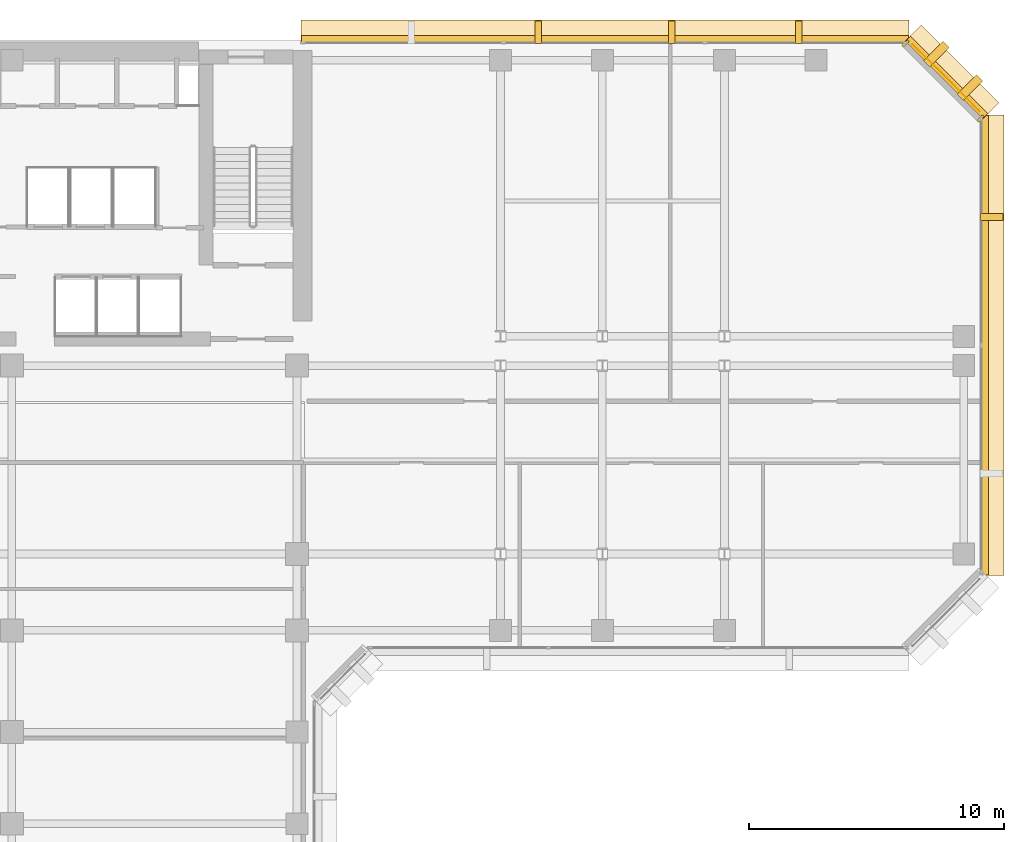
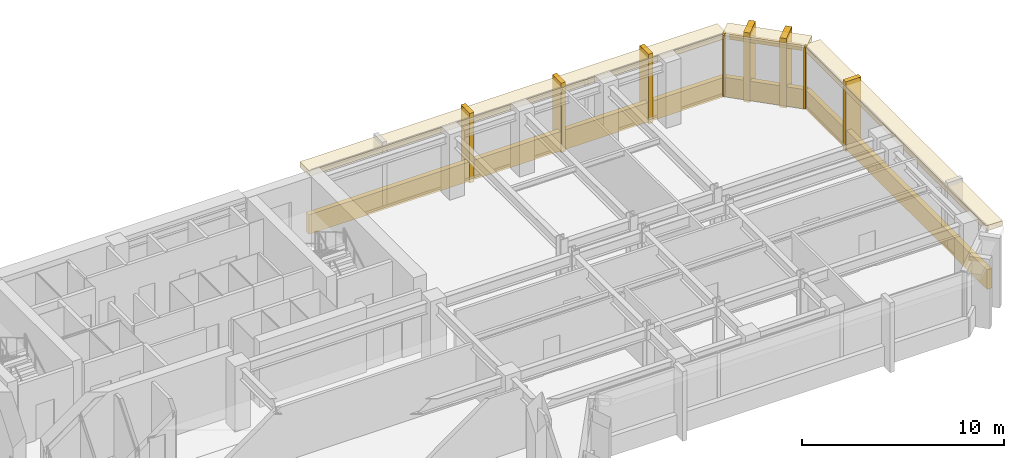
# One storey, part 11 of 11: 15 coverings.
"""IFC4 building model written with IfcOpenShell, lengths in metres."""

import ifcopenshell
import ifcopenshell.guid

model = None  # the IFC model being written
_history = None  # IfcOwnerHistory: only IFC2X3 demands one
_inside = {}  # id of a spatial element -> (the spatial element, [elements in it])
_under = {}  # id of a project, library or spatial element -> (it, [spatial elements below it])
_declared = {}  # id of a project -> (the project, [libraries it declares])
_typed = {}  # id of a type object -> (the type object, [elements of that type])
_made_of = {}  # id of a material, layer set ... -> (it, [elements and type objects made of it])


def new_model(schema):
    """Start an empty IFC model of exactly this schema.

    Asked for "IFC4X3", IfcOpenShell would pick the latest addendum, in which some entities
    have other attributes; the version numbers below select the first issue.
    IFC2X3 requires an IfcOwnerHistory on every rooted entity: one is made here for all.
    """
    global model, _history
    if schema == "IFC4X3":
        model = ifcopenshell.file(schema_version=(4, 3, 0, 0))
    else:
        model = ifcopenshell.file(schema=schema)
    _inside.clear()
    _under.clear()
    _declared.clear()
    _typed.clear()
    _made_of.clear()
    _history = None
    if model.schema == "IFC2X3":
        org = make("IfcOrganization", Name="unknown")
        user = make(
            "IfcPersonAndOrganization",
            ThePerson=make("IfcPerson", FamilyName="unknown"),
            TheOrganization=org,
        )
        app = make(
            "IfcApplication",
            ApplicationDeveloper=org,
            Version="unknown",
            ApplicationFullName="unknown",
            ApplicationIdentifier="unknown",
        )
        _history = make(
            "IfcOwnerHistory",
            OwningUser=user,
            OwningApplication=app,
            ChangeAction="ADDED",
            CreationDate=0,
        )
    return model


def make(cls, **values):
    """One entity of the class cls with the attributes given. An attribute that is None is left unset."""
    return model.create_entity(
        cls, **{name: value for name, value in values.items() if value is not None}
    )


def rooted(cls, **values):
    """An entity with a GlobalId (a new one), such as an element, a storey or a relation."""
    return make(cls, GlobalId=ifcopenshell.guid.new(), OwnerHistory=_history, **values)


def si_unit(unit_type, name, prefix=None):
    """IfcSIUnit, for example si_unit("LENGTHUNIT", "METRE", prefix="MILLI")."""
    return make("IfcSIUnit", UnitType=unit_type, Prefix=prefix, Name=name)


def assignment(units):
    """IfcUnitAssignment: the units of a project."""
    return None if units is None else make("IfcUnitAssignment", Units=units)


def point(xyz):
    """IfcCartesianPoint."""
    return None if xyz is None else make("IfcCartesianPoint", Coordinates=xyz)


def direction(xyz):
    """IfcDirection."""
    return None if xyz is None else make("IfcDirection", DirectionRatios=xyz)


def frame(location, z_axis=None, x_axis=None):
    """IfcAxis2Placement3D, a coordinate frame: its origin and axes. An axis left out is left unset."""
    return make(
        "IfcAxis2Placement3D",
        Location=point(location),
        Axis=direction(z_axis),
        RefDirection=direction(x_axis),
    )


def frame_2d(location, x_axis=None):
    """IfcAxis2Placement2D, a coordinate frame in the plane: its origin and x axis."""
    return make(
        "IfcAxis2Placement2D", Location=point(location), RefDirection=direction(x_axis)
    )


def origin():
    """The frame at (0, 0, 0) with its axes left unset."""
    return frame((0.0, 0.0, 0.0))


def origin_2d():
    """The frame at (0, 0) in the plane with its x axis left unset."""
    return frame_2d((0.0, 0.0))


def place(relative_to, where):
    """IfcLocalPlacement: puts the frame where relative to a parent placement (None: the world)."""
    return make(
        "IfcLocalPlacement", PlacementRelTo=relative_to, RelativePlacement=where
    )


def context(
    kind, dimensions, precision=None, world=None, true_north=None, identifier=None
):
    """IfcGeometricRepresentationContext, for example the 3D "Model" context."""
    return make(
        "IfcGeometricRepresentationContext",
        ContextIdentifier=identifier,
        ContextType=kind,
        CoordinateSpaceDimension=dimensions,
        Precision=precision,
        WorldCoordinateSystem=world,
        TrueNorth=true_north,
    )


def subcontext(parent, identifier, kind, view, scale=None):
    """IfcGeometricRepresentationSubContext, for example "Body" below "Model"."""
    return make(
        "IfcGeometricRepresentationSubContext",
        ContextIdentifier=identifier,
        ContextType=kind,
        ParentContext=parent,
        TargetScale=scale,
        TargetView=view,
    )


def project(units=None, contexts=None):
    """IfcProject with its units and contexts."""
    return rooted(
        "IfcProject",
        Name="project",
        RepresentationContexts=contexts,
        UnitsInContext=assignment(units),
    )


def spatial(cls, under=None, at=None, **own):
    """A site, building, storey or space (cls), placed at a placement, below another one or the project."""
    s = rooted(cls, ObjectPlacement=at, **own)
    if under is not None:
        _under.setdefault(under.id(), (under, []))[1].append(s)
    return s


def profile(cls, at=None, kind="AREA", **sizes):
    """A parametric profile (cls). Its sizes go by their IFC names, for example OverallWidth=200.0."""
    return make(cls, ProfileType=kind, Position=at, **sizes)


def rectangle(**sizes):
    """IfcRectangleProfileDef."""
    return profile("IfcRectangleProfileDef", **sizes)


def extrude(swept, where, along, depth):
    """IfcExtrudedAreaSolid: the profile swept, set in the frame where, extruded along a direction by depth."""
    return make(
        "IfcExtrudedAreaSolid",
        SweptArea=swept,
        Position=where,
        ExtrudedDirection=direction(along),
        Depth=depth,
    )


def shape(context_of_items, identifier, shape_type, items):
    """IfcShapeRepresentation: the items that make up one representation, for example the "Body"."""
    return make(
        "IfcShapeRepresentation",
        ContextOfItems=context_of_items,
        RepresentationIdentifier=identifier,
        RepresentationType=shape_type,
        Items=items,
    )


def material(Name=None, Category=None):
    """IfcMaterial."""
    return make("IfcMaterial", Name=Name, Category=Category)


def layer(
    of_material, thickness, ventilated=None, Name=None, Category=None, Priority=None
):
    """IfcMaterialLayer: one layer of a wall or slab, of a material (None: an air gap)."""
    return make(
        "IfcMaterialLayer",
        Material=of_material,
        LayerThickness=thickness,
        IsVentilated=ventilated,
        Name=Name,
        Category=Category,
        Priority=Priority,
    )


def layer_set(layers, Name=None):
    """IfcMaterialLayerSet."""
    return make("IfcMaterialLayerSet", MaterialLayers=layers, LayerSetName=Name)


def made_of(thing, what):
    """Note that an element or type object is made of a material, layer set ...; save() writes the relation."""
    if what is not None:
        _made_of.setdefault(what.id(), (what, []))[1].append(thing)
    return thing


def type_object(cls, material=None, **own):
    """A type object (cls), such as IfcWallType, which elements share."""
    return made_of(rooted(cls, **own), material)


def element(
    cls,
    number,
    at=None,
    inside=None,
    cuts=None,
    type_object=None,
    material=None,
    context=None,
    identifier="Body",
    shape_type=None,
    held_by="IfcProductDefinitionShape",
    body=None,
    shapes=None,
    **own,
):
    """One element of the class cls, such as IfcWall. Its Tag is "e" and its number.

    at: its placement. inside: the storey or other place that contains it. cuts: it is an
    opening in that element (IfcRelVoidsElement). A single representation is given by context,
    identifier, shape_type and body (its items); several are given by shapes. held_by: the class
    of the entity that holds the representations. save() writes the other relations.
    """
    e = rooted(cls, Tag="e%d" % number, ObjectPlacement=at, **own)
    if body is not None:
        shapes = [shape(context, identifier, shape_type, body)]
    if shapes is not None:
        e.Representation = make(held_by, Representations=shapes)
    if inside is not None:
        _inside.setdefault(inside.id(), (inside, []))[1].append(e)
    if cuts is not None:
        rooted(
            "IfcRelVoidsElement", RelatingBuildingElement=cuts, RelatedOpeningElement=e
        )
    if type_object is not None:
        _typed.setdefault(type_object.id(), (type_object, []))[1].append(e)
    return made_of(e, material)


def aggregate(whole, parts):
    """IfcRelAggregates: a whole, such as a stair, and the parts it consists of."""
    return rooted("IfcRelAggregates", RelatingObject=whole, RelatedObjects=parts)


def save(model, path):
    """Write the relations noted so far, then the file.

    IfcRelAggregates (storeys below a building ...), IfcRelContainedInSpatialStructure (elements
    in a storey), IfcRelDefinesByType, IfcRelAssociatesMaterial and IfcRelDeclares: one each for
    every whole, place, type object, material and project.
    """
    for whole, parts in _under.values():
        aggregate(whole, parts)
    for where, things in _inside.values():
        rooted(
            "IfcRelContainedInSpatialStructure",
            RelatedElements=things,
            RelatingStructure=where,
        )
    for kind, things in _typed.values():
        rooted("IfcRelDefinesByType", RelatedObjects=things, RelatingType=kind)
    for what, things in _made_of.values():
        rooted("IfcRelAssociatesMaterial", RelatedObjects=things, RelatingMaterial=what)
    for by, libraries in _declared.values():
        rooted("IfcRelDeclares", RelatingContext=by, RelatedDefinitions=libraries)
    model.write(path)


model = new_model("IFC4")

# Units and contexts
model_context = context("Model", 3, precision=1e-05, world=origin(), true_north=direction((0.0, 1.0)))
body_context = subcontext(model_context, "Body", "Model", "MODEL_VIEW")
ifc_project = project(units=[si_unit("LENGTHUNIT", "METRE"), si_unit("AREAUNIT", "SQUARE_METRE"), si_unit("VOLUMEUNIT", "CUBIC_METRE"), si_unit("PLANEANGLEUNIT", "RADIAN"), si_unit("MASSUNIT", "GRAM", prefix="KILO")], contexts=[model_context])

# Site, building, storey
site_placement = place(None, origin())
site = spatial("IfcSite", under=ifc_project, at=site_placement, CompositionType="ELEMENT")
building_placement = place(site_placement, origin())
building = spatial("IfcBuilding", under=site, at=building_placement, Name="Kefirva Bronze Tower", CompositionType="ELEMENT")
storey_placement = place(building_placement, frame((0.0, 0.0, 150.81005859375)))
storey = spatial("IfcBuildingStorey", under=building, at=storey_placement, Name="L36", CompositionType="ELEMENT", Elevation=150.81005859375)

# Coverings
ifc_material = material(Name="Bronze anodised aluminium", Category="aluminium")
ifc_layer_1 = layer(ifc_material, 0.02001953125, Name="Bronze anodised aluminium")
ifc_layer_set_1 = layer_set([ifc_layer_1], Name="Bronze anodised aluminium")
covering_type_1 = type_object("IfcCoveringType", Name="Anodised Bronze Spandrel Cladding 20mm", PredefinedType="CLADDING", material=ifc_layer_set_1)
covering_1_placement = place(storey_placement, frame((50.239990234375, 34.0, -0.16015625), z_axis=(0.0, 0.0, 1.0), x_axis=(0.0, 1.0, 0.0)))
element("IfcCovering", 1, at=covering_1_placement, inside=storey, type_object=covering_type_1, Name="L36 Streamline Horizontal Spandrel Band 6", PredefinedType="CLADDING", context=body_context, shape_type="SweptSolid", body=[
    extrude(rectangle(XDim=18.0400390625, YDim=0.280029296875, at=origin_2d()), origin(), (0.0, 0.0, 1.0), 1.179931640625),
])
covering_2_placement = place(storey_placement, frame((48.70703125, 44.507080078125, 3.2900390625), z_axis=(0.0, 0.0, 1.0), x_axis=(-0.707106781187, 0.707106781187, 0.0)))
element("IfcCovering", 2, at=covering_2_placement, inside=storey, type_object=covering_type_1, Name="L36 Bronze Spandrel Cladding 4", PredefinedType="CLADDING", context=body_context, shape_type="SweptSolid", body=[
    extrude(rectangle(XDim=3.719482421875, YDim=0.02001953125, at=origin_2d()), origin(), (0.0, 0.0, 1.0), 0.39990234375),
])
for number, where, z_axis, x_axis, name in (
    (3, (50.06201171875, 42.91162109375, 0.0), (0.0, 0.0, 1.0), (-0.707106781187, 0.707106781187, 0.0), "L36 Facade Joint Closure Panel 4S"),
    (4, (47.11181640625, 45.862060546875, 0.0), (0.0, 0.0, 1.0), (-0.707106781187, 0.707106781187, 0.0), "L36 Facade Joint Closure Panel 4E"),
):
    element("IfcCovering", number, at=place(storey_placement, frame(where, z_axis=z_axis, x_axis=x_axis)), inside=storey, type_object=covering_type_1, Name=name, PredefinedType="CLADDING", context=body_context, shape_type="SweptSolid", body=[
        extrude(rectangle(XDim=0.10009765625, YDim=0.320068359375, at=origin_2d()), origin(), (0.0, 0.0, 1.0), 3.7099609375),
    ])
covering_3_placement = place(storey_placement, frame((48.728271484375, 44.5283203125, -0.16015625), z_axis=(0.0, 0.0, 1.0), x_axis=(-0.707106781187, 0.707106781187, 0.0)))
element("IfcCovering", 5, at=covering_3_placement, inside=storey, type_object=covering_type_1, Name="L36 Streamline Horizontal Spandrel Band 7", PredefinedType="CLADDING", context=body_context, shape_type="SweptSolid", body=[
    extrude(rectangle(XDim=4.28271484375, YDim=0.280029296875, at=origin_2d()), origin(), (0.0, 0.0, 1.0), 1.179931640625),
])
covering_4_placement = place(storey_placement, frame((35.302490234375, 46.0400390625, -0.16015625), z_axis=(0.0, 0.0, 1.0), x_axis=(-1.0, 0.0, 0.0)))
element("IfcCovering", 6, at=covering_4_placement, inside=storey, type_object=covering_type_1, Name="L36 Streamline Horizontal Spandrel Band 8", PredefinedType="CLADDING", context=body_context, shape_type="SweptSolid", body=[
    extrude(rectangle(XDim=23.8349609375, YDim=0.280029296875, at=origin_2d()), origin(), (0.0, 0.0, 1.0), 1.179931640625),
])
ifc_layer_2 = layer(ifc_material, 0.179931640625, Name="Bronze anodised aluminium")
ifc_layer_set_2 = layer_set([ifc_layer_2], Name="Bronze anodised aluminium")
covering_type_2 = type_object("IfcCoveringType", Name="Streamline Bronze Sunshade Eyebrow Cladding 180mm", PredefinedType="CLADDING", material=ifc_layer_set_2)
covering_5_placement = place(storey_placement, frame((50.510009765625, 34.0, 3.39013671875), z_axis=(0.0, 0.0, 1.0), x_axis=(0.0, 1.0, 0.0)))
element("IfcCovering", 7, at=covering_5_placement, inside=storey, type_object=covering_type_2, Name="L36 Streamline Bronze Sunshade Eyebrow 6", PredefinedType="CLADDING", context=body_context, shape_type="SweptSolid", body=[
    extrude(rectangle(XDim=18.080078125, YDim=0.93994140625, at=origin_2d()), origin(), (0.0, 0.0, 1.0), 0.320068359375),
])
covering_6_placement = place(storey_placement, frame((48.919189453125, 44.71923828125, 3.39013671875), z_axis=(0.0, 0.0, 1.0), x_axis=(-0.707106781187, 0.707106781187, 0.0)))
element("IfcCovering", 8, at=covering_6_placement, inside=storey, type_object=covering_type_2, Name="L36 Streamline Bronze Sunshade Eyebrow 7", PredefinedType="CLADDING", context=body_context, shape_type="SweptSolid", body=[
    extrude(rectangle(XDim=4.322509765625, YDim=0.93994140625, at=origin_2d()), origin(), (0.0, 0.0, 1.0), 0.320068359375),
])
covering_7_placement = place(storey_placement, frame((35.302490234375, 46.31005859375, 3.39013671875), z_axis=(0.0, 0.0, 1.0), x_axis=(-1.0, 0.0, 0.0)))
element("IfcCovering", 9, at=covering_7_placement, inside=storey, type_object=covering_type_2, Name="L36 Streamline Bronze Sunshade Eyebrow 8", PredefinedType="CLADDING", context=body_context, shape_type="SweptSolid", body=[
    extrude(rectangle(XDim=23.875, YDim=0.93994140625, at=origin_2d()), origin(), (0.0, 0.0, 1.0), 0.320068359375),
])
ifc_layer_3 = layer(ifc_material, 0.260009765625, Name="Bronze anodised aluminium")
ifc_layer_set_3 = layer_set([ifc_layer_3], Name="Bronze anodised aluminium")
covering_type_3 = type_object("IfcCoveringType", Name="Unbroken Bronze Buttress Fin Cladding 260mm", PredefinedType="CLADDING", material=ifc_layer_set_3)
covering_8_placement = place(storey_placement, frame((50.5, 39.0400390625, -0.25), z_axis=(0.0, 0.0, 1.0), x_axis=(0.0, 1.0, 0.0)))
element("IfcCovering", 10, at=covering_8_placement, inside=storey, type_object=covering_type_3, Name="L36 Unbroken Vertical Bronze Rib Fin 14", PredefinedType="CLADDING", context=body_context, shape_type="SweptSolid", body=[
    extrude(rectangle(XDim=0.260009765625, YDim=0.8798828125, at=origin_2d()), origin(), (0.0, 0.0, 1.0), 4.2099609375),
])
for number, where, z_axis, x_axis, name in (
    (11, (49.642822265625, 44.122802734375, -0.25), (0.0, 0.0, 1.0), (-0.707106781187, 0.707106781187, 0.0), "L36 Chamfered Corner Buttress Fin Cladding 15"),
    (12, (48.32275390625, 45.44287109375, -0.25), (0.0, 0.0, 1.0), (-0.707106781187, 0.707106781187, 0.0), "L36 Chamfered Corner Buttress Fin Cladding 16"),
):
    element("IfcCovering", number, at=place(storey_placement, frame(where, z_axis=z_axis, x_axis=x_axis)), inside=storey, type_object=covering_type_3, Name=name, PredefinedType="CLADDING", context=body_context, shape_type="SweptSolid", body=[
        extrude(rectangle(XDim=0.340087890625, YDim=1.080078125, at=origin_2d()), origin(), (0.0, 0.0, 1.0), 4.2099609375),
    ])
for number, where, z_axis, x_axis, name in (
    (13, (42.9169921875, 46.300048828125, -0.25), (0.0, 0.0, 1.0), (-1.0, 0.0, 0.0), "L36 Unbroken Vertical Bronze Rib Fin 17"),
    (14, (37.919921875, 46.300048828125, -0.25), (0.0, 0.0, 1.0), (-1.0, 0.0, 0.0), "L36 Unbroken Vertical Bronze Rib Fin 18"),
    (15, (32.68505859375, 46.300048828125, -0.25), (0.0, 0.0, 1.0), (-1.0, 0.0, 0.0), "L36 Unbroken Vertical Bronze Rib Fin 19"),
):
    element("IfcCovering", number, at=place(storey_placement, frame(where, z_axis=z_axis, x_axis=x_axis)), inside=storey, type_object=covering_type_3, Name=name, PredefinedType="CLADDING", context=body_context, shape_type="SweptSolid", body=[
        extrude(rectangle(XDim=0.260009765625, YDim=0.8798828125, at=origin_2d()), origin(), (0.0, 0.0, 1.0), 4.2099609375),
    ])

save(model, "model.ifc")
